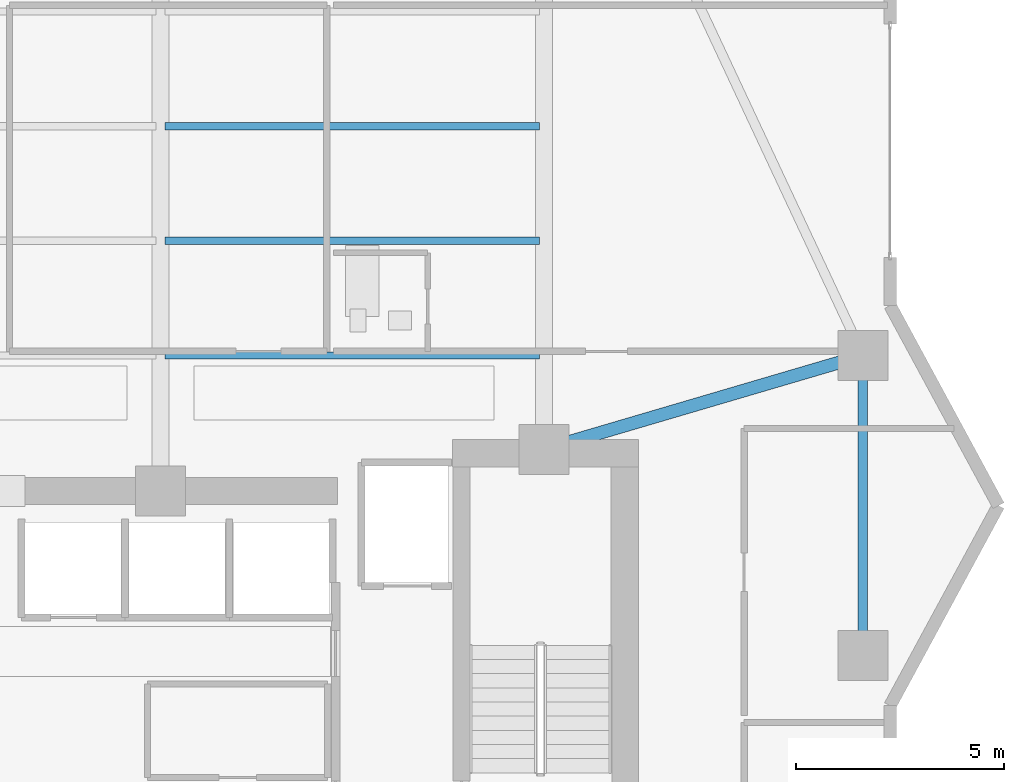
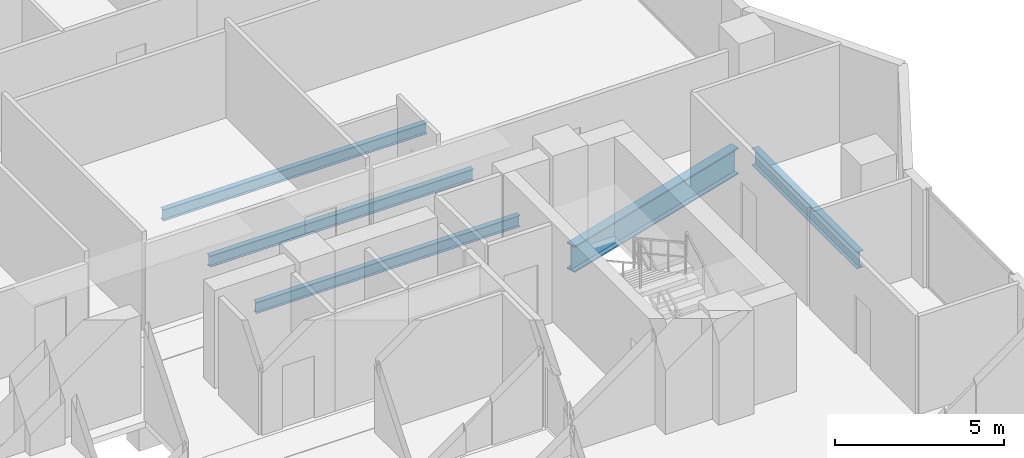
# One storey, part 13 of 32: 5 beams.
"""IFC4 building model written with IfcOpenShell, lengths in metres."""

from ifc_helpers import new_model, si_unit, direction, frame, origin, origin_2d, place, context, subcontext, project, spatial, i_section, extrude, material, material_profile, profile_set, type_object, element, save


model = new_model("IFC4")

# Units and contexts
model_context = context("Model", 3, precision=1e-05, world=origin(), true_north=direction((0.0, 1.0)))
body_context = subcontext(model_context, "Body", "Model", "MODEL_VIEW")
ifc_project = project(units=[si_unit("LENGTHUNIT", "METRE"), si_unit("AREAUNIT", "SQUARE_METRE"), si_unit("VOLUMEUNIT", "CUBIC_METRE"), si_unit("PLANEANGLEUNIT", "RADIAN"), si_unit("MASSUNIT", "GRAM", prefix="KILO")], contexts=[model_context])

# Site, building, storey
site_placement = place(None, origin())
site = spatial("IfcSite", under=ifc_project, at=site_placement, CompositionType="ELEMENT")
building_placement = place(site_placement, origin())
building = spatial("IfcBuilding", under=site, at=building_placement, Name="Zuhayl Quay Hotel", CompositionType="ELEMENT")
storey_placement = place(building_placement, frame((0.0, 0.0, 181.14990234375)))
storey = spatial("IfcBuildingStorey", under=building, at=storey_placement, Name="L45", CompositionType="ELEMENT", Elevation=181.14990234375)

# Beams
ifc_material = material(Name="Steel ASTM A992 Grade 50", Category="steel")
ifc_material_profile_1 = material_profile(ifc_material, i_section(OverallWidth=0.22802734375, OverallDepth=0.60693359375, WebThickness=0.01123046875, FlangeThickness=0.017333984375, at=origin_2d()), Name="W24X76")
ifc_profile_set_1 = profile_set([ifc_material_profile_1], Name="Steel ASTM A992 Grade 50")
beam_type_1 = type_object("IfcBeamType", Name="BM_B3_W24X76", PredefinedType="BEAM", material=ifc_profile_set_1)
beam_1_placement = place(storey_placement, frame((21.449951171875, 9.89990234375, -0.5234375), z_axis=(0.0, 1.0, 0.0), x_axis=(-1.0, 0.0, 0.0)))
element("IfcBeam", 1, at=beam_1_placement, inside=storey, type_object=beam_type_1, Name="L45 Floor Beam RG_L45_05", PredefinedType="BEAM", context=body_context, shape_type="SweptSolid", body=[
    extrude(i_section(OverallWidth=0.22802734375, OverallDepth=0.60693359375, WebThickness=0.01123046875, FlangeThickness=0.017333984375, at=origin_2d()), origin(), (0.0, 0.0, 1.0), 6.2001953125),
])
ifc_material_profile_2 = material_profile(ifc_material, i_section(OverallWidth=0.177978515625, OverallDepth=0.406005859375, WebThickness=0.0078125, FlangeThickness=0.0126953125, at=origin_2d()), Name="W16X40")
ifc_profile_set_2 = profile_set([ifc_material_profile_2], Name="Steel ASTM A992 Grade 50")
beam_type_2 = type_object("IfcBeamType", Name="BM_J2B_W16X40", PredefinedType="JOIST", material=ifc_profile_set_2)
for number, where, z_axis, x_axis, name in (
    (2, (4.7060546875, 16.60009765625, -0.4228515625), (1.0, 0.0, 0.0), (0.0, 1.0, 0.0), "L45 Floor Beam FJ_L45_1_3"),
    (3, (4.7060546875, 19.35009765625, -0.4228515625), (1.0, 0.0, 0.0), (0.0, 1.0, 0.0), "L45 Floor Beam FJ_L45_2_3"),
    (4, (4.7060546875, 22.10009765625, -0.4228515625), (1.0, 0.0, 0.0), (0.0, 1.0, 0.0), "L45 Floor Beam FJ_L45_3_3"),
):
    element("IfcBeam", number, at=place(storey_placement, frame(where, z_axis=z_axis, x_axis=x_axis)), inside=storey, type_object=beam_type_2, Name=name, PredefinedType="JOIST", context=body_context, shape_type="SweptSolid", body=[
        extrude(i_section(OverallWidth=0.177978515625, OverallDepth=0.406005859375, WebThickness=0.0078125, FlangeThickness=0.0126953125, at=origin_2d()), origin(), (0.0, 0.0, 1.0), 8.988037109375),
    ])
ifc_material_profile_3 = material_profile(ifc_material, i_section(OverallWidth=0.31005859375, OverallDepth=0.949951171875, WebThickness=0.0244140625, FlangeThickness=0.0439453125, at=origin_2d()), Name="W36X256")
ifc_profile_set_3 = profile_set([ifc_material_profile_3], Name="Steel ASTM A992 Grade 50")
beam_type_3 = type_object("IfcBeamType", Name="BM_PG1_W36X256", PredefinedType="BEAM", material=ifc_profile_set_3)
beam_2_placement = place(storey_placement, frame((14.231689453125, 14.47705078125, -0.69482421875), z_axis=(0.959364948093, 0.282168205812, 0.0), x_axis=(-0.282168205812, 0.959364948093, 0.0)))
element("IfcBeam", 5, at=beam_2_placement, inside=storey, type_object=beam_type_3, Name="L45 Floor Beam FG_E_L45_2", PredefinedType="BEAM", context=body_context, shape_type="SweptSolid", body=[
    extrude(i_section(OverallWidth=0.31005859375, OverallDepth=0.949951171875, WebThickness=0.0244140625, FlangeThickness=0.0439453125, at=origin_2d()), origin(), (0.0, 0.0, 1.0), 7.02392578125),
])

save(model, "model.ifc")
